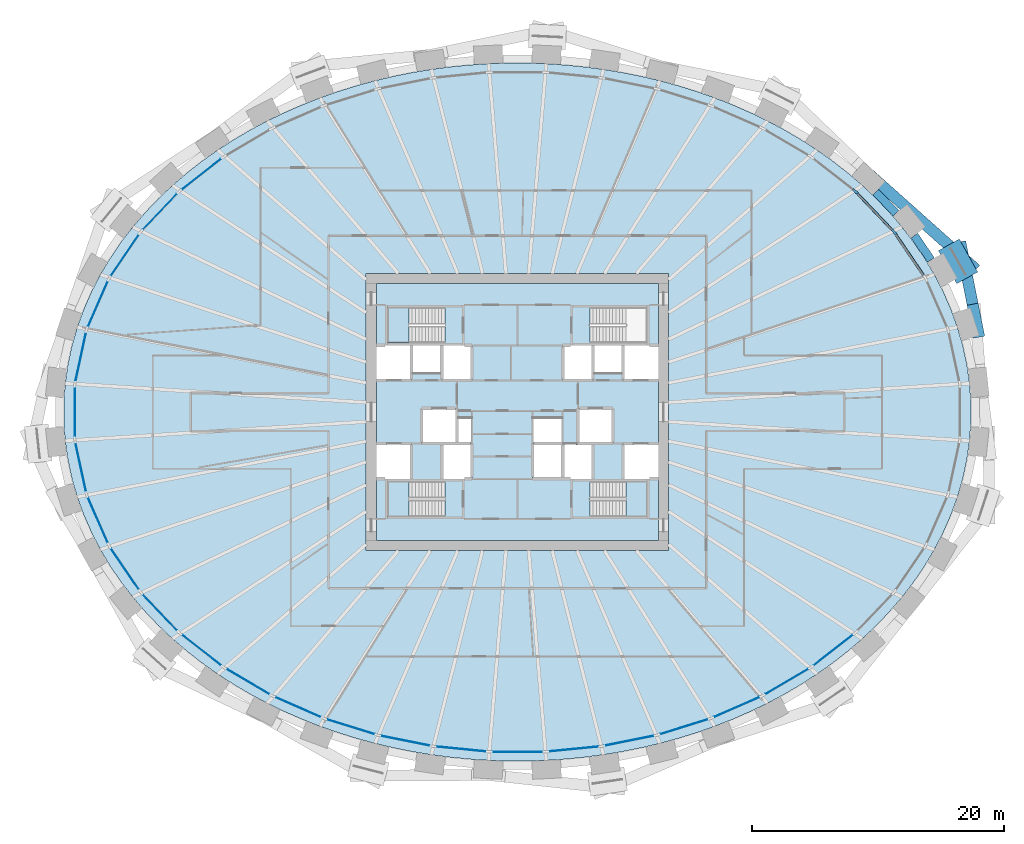
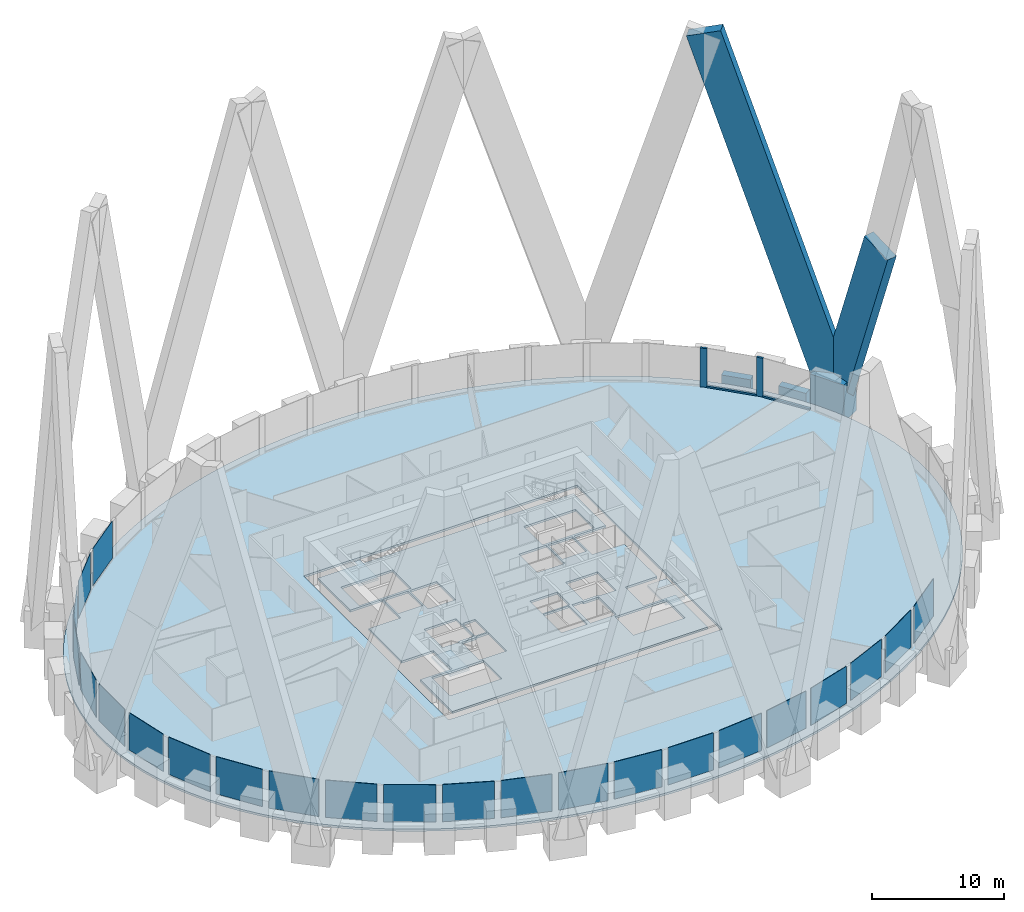
# One storey, part 5 of 12: 23 plates, 7 members, 5 slabs, 2 beams, 4 elements without a shape of their own.
"""IFC4 building model written with IfcOpenShell, lengths in metres."""

from ifc_helpers import new_model, si_unit, direction, frame, origin, origin_2d, place, context, subcontext, project, spatial, polyline, rectangle, outline, extrude, source, transform, mapped, material, layer, layer_set, material_profile, profile_set, type_object, element, aggregate, save


model = new_model("IFC4")

# Units and contexts
model_context = context("Model", 3, precision=1e-05, world=origin(), true_north=direction((0.0, 1.0)))
body_context = subcontext(model_context, "Body", "Model", "MODEL_VIEW")
ifc_project = project(units=[si_unit("LENGTHUNIT", "METRE"), si_unit("AREAUNIT", "SQUARE_METRE"), si_unit("VOLUMEUNIT", "CUBIC_METRE"), si_unit("PLANEANGLEUNIT", "RADIAN"), si_unit("MASSUNIT", "GRAM", prefix="KILO")], contexts=[model_context])

# Site, building, storey
site_placement = place(None, origin())
site = spatial("IfcSite", under=ifc_project, at=site_placement, CompositionType="ELEMENT")
building_placement = place(site_placement, origin())
building = spatial("IfcBuilding", under=site, at=building_placement, Name="Embergate Tower", CompositionType="ELEMENT")
storey_placement = place(building_placement, frame((0.0, 0.0, 191.10009765625)))
storey = spatial("IfcBuildingStorey", under=building, at=storey_placement, Name="L43", CompositionType="ELEMENT", Elevation=191.10009765625)

# Beams
ifc_material_1 = material(Name="Concrete C70", Category="concrete")
ifc_material_profile_1 = material_profile(ifc_material_1, rectangle(XDim=0.64990234375, YDim=1.5, at=origin_2d()), Name="RC 650x1500")
ifc_profile_set_1 = profile_set([ifc_material_profile_1], Name="Concrete C70")
beam_type = type_object("IfcBeamType", Name="Spandrel beam RC 650x1500 C70", PredefinedType="BEAM", material=ifc_profile_set_1)
shared_shape_1 = source(origin(), body_context, "Body", "SweptSolid", [
    extrude(rectangle(XDim=0.64990234375, YDim=1.5, at=origin_2d()), origin(), (0.0, 0.0, 1.0), 2.329345703125),
])
beam_1_placement = place(storey_placement, frame((32.8359375, 12.0830078125, 0.0), z_axis=(-0.562416089232, 0.826854366, 0.0), x_axis=(-0.826854366, -0.562416089232, 0.0)))
element("IfcBeam", 1, at=beam_1_placement, inside=storey, type_object=beam_type, Name="SPN-L43-02", PredefinedType="BEAM", context=body_context, shape_type="MappedRepresentation", body=[
    mapped(shared_shape_1, transform((0.0, 0.0, 0.0))),
])
shared_shape_2 = source(origin(), body_context, "Body", "SweptSolid", [
    extrude(rectangle(XDim=0.64990234375, YDim=1.5, at=origin_2d()), origin(), (0.0, 0.0, 1.0), 2.322265625),
])
beam_2_placement = place(storey_placement, frame((30.06591796875, 15.785888671875, 0.0), z_axis=(-0.690300694886, 0.723522598569, 0.0), x_axis=(-0.723522598569, -0.690300694886, 0.0)))
element("IfcBeam", 2, at=beam_2_placement, inside=storey, type_object=beam_type, Name="SPN-L43-03", PredefinedType="BEAM", context=body_context, shape_type="MappedRepresentation", body=[
    mapped(shared_shape_2, transform((0.0, 0.0, 0.0))),
])

# Members
ifc_material_profile_2 = material_profile(ifc_material_1, rectangle(XDim=1.89990234375, YDim=3.0, at=origin_2d()), Name="RC 1900x3000")
ifc_profile_set_2 = profile_set([ifc_material_profile_2], Name="Concrete C70")
member_type_1 = type_object("IfcMemberType", Name="Lattice node block RC 1900x3000", PredefinedType="POST", material=ifc_profile_set_2)
shared_shape_3 = source(origin(), body_context, "Body", "SweptSolid", [
    extrude(rectangle(XDim=1.89990234375, YDim=3.0, at=origin_2d()), origin(), (0.0, 0.0, 1.0), 3.449951171875),
])
member_1_placement = place(storey_placement, frame((34.990966796875, 11.967041015625, -1.72509765625), z_axis=(0.0, 0.0, 1.0), x_axis=(0.873500465855, 0.486823311018, 0.0)))
element("IfcMember", 3, at=member_1_placement, inside=storey, type_object=member_type_1, Name="NOD-L43-02", PredefinedType="POST", context=body_context, shape_type="MappedRepresentation", body=[
    mapped(shared_shape_3, transform((0.0, 0.0, 0.0))),
])
ifc_material_profile_3 = material_profile(ifc_material_1, rectangle(XDim=0.89990234375, YDim=2.800048828125, at=origin_2d()), Name="RC 900x2800")
ifc_profile_set_3 = profile_set([ifc_material_profile_3], Name="Concrete C70")
member_type_2 = type_object("IfcMemberType", Name="Lattice diagonal terracotta-faced RC 900x2800", PredefinedType="BRACE", material=ifc_profile_set_3)
shared_shape_4 = source(origin(), body_context, "Body", "SweptSolid", [
    extrude(rectangle(XDim=0.89990234375, YDim=2.800048828125, at=origin_2d()), origin(), (0.0, 0.0, 1.0), 16.68212890625),
])
member_2_placement = place(storey_placement, frame((35.422119140625, 12.20703125, 0.0), z_axis=(0.059212549828, -0.296779856147, 0.953108383621), x_axis=(0.980671707881, 0.195660423595, 0.0)))
element("IfcMember", 4, at=member_2_placement, inside=storey, type_object=member_type_2, Name="BRC-L43-02-00-S00", PredefinedType="BRACE", context=body_context, shape_type="MappedRepresentation", body=[
    mapped(shared_shape_4, transform((0.0, 0.0, 0.0))),
])
shared_shape_5 = source(origin(), body_context, "Body", "SweptSolid", [
    extrude(rectangle(XDim=0.89990234375, YDim=2.800048828125, at=origin_2d()), origin(), (0.0, 0.0, 1.0), 33.40380859375),
])
member_3_placement = place(storey_placement, frame((35.422119140625, 12.20703125, 0.0), z_axis=(-0.228479801284, 0.203776121673, 0.951983336325), x_axis=(-0.665609097165, -0.746300562623, 0.0)))
element("IfcMember", 5, at=member_3_placement, inside=storey, type_object=member_type_2, Name="BRC-L43-02-04-S00", PredefinedType="BRACE", context=body_context, shape_type="MappedRepresentation", body=[
    mapped(shared_shape_5, transform((0.0, 0.0, 0.0))),
])

# Curtain wall, members
ifc_material_2 = material(Name="Aluminium and glass", Category="aluminium")
curtain_wall_type = type_object("IfcCurtainWallType", Name="Recessed office glazing", PredefinedType="NOTDEFINED", material=ifc_material_2)
curtain_wall_placement = place(storey_placement, origin())
curtain_wall = element("IfcCurtainWall", 6, at=curtain_wall_placement, inside=storey, type_object=curtain_wall_type, Name="Recessed office glazing ring", ObjectType="RECESSED OFFICE GLAZING", PredefinedType="USERDEFINED")
ifc_material_3 = material(Name="Aluminium, thermally broken", Category="aluminium")
ifc_material_profile_4 = material_profile(ifc_material_3, rectangle(XDim=0.179931640625, YDim=0.52001953125, at=origin_2d()), Name="AL 520x180")
ifc_profile_set_4 = profile_set([ifc_material_profile_4], Name="Aluminium, thermally broken")
member_type_3 = type_object("IfcMemberType", Name="Office mullion", PredefinedType="MULLION", material=ifc_profile_set_4)
shared_shape_6 = source(origin(), body_context, "Body", "SweptSolid", [
    extrude(rectangle(XDim=0.179931640625, YDim=0.52001953125, at=origin_2d()), origin(), (0.0, 0.0, 1.0), 3.599853515625),
])
member_4_placement = place(storey_placement, frame((29.9189453125, 14.29248046875, 0.0), z_axis=(0.0, 0.0, 1.0), x_axis=(-0.777869273934, -0.628426123477, 0.0)))
member_4 = element("IfcMember", 7, at=member_4_placement, type_object=member_type_3, Name="CW mullion 4", PredefinedType="MULLION", context=body_context, shape_type="MappedRepresentation", body=[
    mapped(shared_shape_6, transform((0.0, 0.0, 0.0))),
])
member_5_placement = place(storey_placement, frame((26.843017578125, 17.51806640625, 0.0), z_axis=(0.0, 0.0, 1.0), x_axis=(-0.671222652759, -0.741255792843, 0.0)))
member_5 = element("IfcMember", 8, at=member_5_placement, type_object=member_type_3, Name="CW mullion 5", PredefinedType="MULLION", context=body_context, shape_type="MappedRepresentation", body=[
    mapped(shared_shape_6, transform((0.0, 0.0, 0.0))),
])
ifc_material_profile_5 = material_profile(ifc_material_3, rectangle(XDim=0.179931640625, YDim=0.14990234375, at=origin_2d()), Name="AL 150x180")
ifc_profile_set_5 = profile_set([ifc_material_profile_5], Name="Aluminium, thermally broken")
member_type_4 = type_object("IfcMemberType", Name="Office sill transom", PredefinedType="USERDEFINED", material=ifc_profile_set_5)
shared_shape_7 = source(origin(), body_context, "Body", "SweptSolid", [
    extrude(rectangle(XDim=0.179931640625, YDim=0.14990234375, at=origin_2d()), origin(), (0.0, 0.0, 1.0), 3.928466796875),
])
member_6_placement = place(storey_placement, frame((32.2744140625, 10.8291015625, 0.074951171875), z_axis=(-0.562349116306, 0.826899916187, 0.0), x_axis=(-0.826899916187, -0.562349116306, 0.0)))
member_6 = element("IfcMember", 9, at=member_6_placement, type_object=member_type_4, Name="CW transom 3.1", ObjectType="TRANSOM", PredefinedType="USERDEFINED", context=body_context, shape_type="MappedRepresentation", body=[
    mapped(shared_shape_7, transform((0.0, 0.0, 0.0))),
])
shared_shape_8 = source(origin(), body_context, "Body", "SweptSolid", [
    extrude(rectangle(XDim=0.179931640625, YDim=0.14990234375, at=origin_2d()), origin(), (0.0, 0.0, 1.0), 3.93701171875),
])
member_7_placement = place(storey_placement, frame((29.739501953125, 14.480712890625, 0.074951171875), z_axis=(-0.690133496305, 0.723682083016, 0.0), x_axis=(-0.723682083016, -0.690133496305, 0.0)))
member_7 = element("IfcMember", 10, at=member_7_placement, type_object=member_type_4, Name="CW transom 4.1", ObjectType="TRANSOM", PredefinedType="USERDEFINED", context=body_context, shape_type="MappedRepresentation", body=[
    mapped(shared_shape_8, transform((0.0, 0.0, 0.0))),
])

# Slab
ifc_material_4 = material(Name="Concrete C40", Category="concrete")
ifc_layer_1 = layer(ifc_material_4, 0.199951171875)
ifc_layer_set_1 = layer_set([ifc_layer_1], Name="Concrete C40")
slab_type_1 = type_object("IfcSlabType", Name="Composite floor slab C40 200", PredefinedType="FLOOR", material=ifc_layer_set_1)
shared_shape_9 = source(origin(), body_context, "Body", "SweptSolid", [
    extrude(outline(polyline([(0.0, 0.0), (1.52392578125, 0.0), (3.0458984375, 0.050048828125), (4.570068359375, 0.14892578125), (6.0859375, 0.298095703125), (7.593017578125, 0.4970703125), (9.10205078125, 0.7470703125), (10.596923828125, 1.0458984375), (12.072021484375, 1.39501953125), (13.552001953125, 1.799072265625), (15.005859375, 2.251953125), (16.43408203125, 2.7529296875), (17.864013671875, 3.31494140625), (19.260009765625, 3.926025390625), (20.619873046875, 4.583984375), (21.97802734375, 5.30908203125), (23.291015625, 6.0810546875), (24.556884765625, 6.89892578125), (25.81494140625, 7.791015625), (27.014892578125, 8.72802734375), (28.156982421875, 9.708984375), (29.278076171875, 10.77001953125), (30.328857421875, 11.8720703125), (31.307861328125, 13.012939453125), (32.2470703125, 14.237060546875), (33.10400390625, 15.49609375), (33.875, 16.7880859375), (34.58203125, 18.155029296875), (35.19384765625, 19.550048828125), (35.7080078125, 20.967041015625), (36.133056640625, 22.43896484375), (36.452880859375, 23.927978515625), (36.66796875, 25.427001953125), (36.77587890625, 26.947021484375), (36.77587890625, 28.468994140625), (36.66796875, 29.989013671875), (36.452880859375, 31.488037109375), (36.133056640625, 32.97705078125), (35.7080078125, 34.448974609375), (35.19384765625, 35.865966796875), (34.58203125, 37.260986328125), (33.875, 38.6279296875), (33.10400390625, 39.919921875), (32.2470703125, 41.178955078125), (31.307861328125, 42.403076171875), (30.328857421875, 43.5439453125), (29.278076171875, 44.64599609375), (28.156982421875, 45.70703125), (27.014892578125, 46.68798828125), (25.81494140625, 47.625), (24.556884765625, 48.51708984375), (23.291015625, 49.3349609375), (21.97802734375, 50.10693359375), (20.619873046875, 50.83203125), (19.260009765625, 51.489990234375), (17.864013671875, 52.10107421875), (16.43408203125, 52.6630859375), (15.005859375, 53.1640625), (13.552001953125, 53.616943359375), (12.072021484375, 54.02099609375), (10.596923828125, 54.3701171875), (9.10205078125, 54.6689453125), (7.593017578125, 54.9189453125), (6.0859375, 55.117919921875), (4.570068359375, 55.26708984375), (3.0458984375, 55.365966796875), (1.52392578125, 55.416015625), (0.0, 55.416015625), (-1.52197265625, 55.365966796875), (-3.046142578125, 55.26708984375), (-4.56201171875, 55.117919921875), (-6.069091796875, 54.9189453125), (-7.578125, 54.6689453125), (-9.072998046875, 54.3701171875), (-10.548095703125, 54.02099609375), (-12.028076171875, 53.616943359375), (-13.48193359375, 53.1640625), (-14.91015625, 52.6630859375), (-16.340087890625, 52.10107421875), (-17.736083984375, 51.489990234375), (-19.095947265625, 50.83203125), (-20.4541015625, 50.10693359375), (-21.76708984375, 49.3349609375), (-23.032958984375, 48.51708984375), (-24.291015625, 47.625), (-25.490966796875, 46.68798828125), (-26.633056640625, 45.70703125), (-27.754150390625, 44.64599609375), (-28.804931640625, 43.5439453125), (-29.783935546875, 42.403076171875), (-30.72314453125, 41.178955078125), (-31.580078125, 39.919921875), (-32.35107421875, 38.6279296875), (-33.05810546875, 37.260986328125), (-33.669921875, 35.865966796875), (-34.18408203125, 34.448974609375), (-34.609130859375, 32.97705078125), (-34.928955078125, 31.488037109375), (-35.14404296875, 29.989013671875), (-35.251953125, 28.468994140625), (-35.251953125, 26.947021484375), (-35.14404296875, 25.427001953125), (-34.928955078125, 23.927978515625), (-34.609130859375, 22.43896484375), (-34.18408203125, 20.967041015625), (-33.669921875, 19.550048828125), (-33.05810546875, 18.155029296875), (-32.35107421875, 16.7880859375), (-31.580078125, 15.49609375), (-30.72314453125, 14.237060546875), (-29.783935546875, 13.012939453125), (-28.804931640625, 11.8720703125), (-27.754150390625, 10.77001953125), (-26.633056640625, 9.708984375), (-25.490966796875, 8.72802734375), (-24.291015625, 7.791015625), (-23.032958984375, 6.89892578125), (-21.76708984375, 6.0810546875), (-20.4541015625, 5.30908203125), (-19.095947265625, 4.583984375), (-17.736083984375, 3.926025390625), (-16.340087890625, 3.31494140625), (-14.91015625, 2.7529296875), (-13.48193359375, 2.251953125), (-12.028076171875, 1.799072265625), (-10.548095703125, 1.39501953125), (-9.072998046875, 1.0458984375), (-7.578125, 0.7470703125), (-6.069091796875, 0.4970703125), (-4.56201171875, 0.298095703125), (-3.046142578125, 0.14892578125), (-1.52197265625, 0.050048828125), (0.0, 0.0)]), holes=[polyline([(-11.238037109375, 16.7080078125), (-11.238037109375, 38.7080078125), (12.761962890625, 38.7080078125), (12.761962890625, 16.7080078125), (-11.238037109375, 16.7080078125)])]), origin(), (0.0, 0.0, 1.0), 0.2001953125),
])
slab_1_placement = place(storey_placement, frame((-0.761962890625, -27.7080078125, -0.2001953125)))
element("IfcSlab", 11, at=slab_1_placement, inside=storey, type_object=slab_type_1, Name="SLB-L43-00", PredefinedType="FLOOR", context=body_context, shape_type="MappedRepresentation", body=[
    mapped(shared_shape_9, transform((0.0, 0.0, 0.0))),
])

# Plate
ifc_material_5 = material(Name="Triple glazing, low-emissivity coating", Category="glass")
ifc_layer_2 = layer(ifc_material_5, 0.035888671875)
ifc_layer_set_2 = layer_set([ifc_layer_2], Name="Triple glazing, low-emissivity coating")
plate_type = type_object("IfcPlateType", Name="Office glazing unit", PredefinedType="CURTAIN_PANEL", material=ifc_layer_set_2)
shared_shape_10 = source(origin(), body_context, "Body", "SweptSolid", [
    extrude(rectangle(XDim=3.91259765625, YDim=0.035888671875, at=origin_2d()), origin(), (0.0, 0.0, 1.0), 3.449951171875),
])
plate_1_placement = place(storey_placement, frame((-34.669921875, 4.381591796875, 0.14990234375), z_axis=(0.0, 0.0, 1.0), x_axis=(-0.210400097438, -0.977615363524, 0.0)))
plate_1 = element("IfcPlate", 12, at=plate_1_placement, type_object=plate_type, Name="CW panel 21.1", PredefinedType="CURTAIN_PANEL", context=body_context, shape_type="MappedRepresentation", body=[
    mapped(shared_shape_10, transform((0.0, 0.0, 0.0))),
])

plate_2_placement = place(storey_placement, frame((-34.669921875, -4.381591796875, 0.14990234375), z_axis=(0.0, 0.0, 1.0), x_axis=(0.210400097438, -0.977615363524, 0.0)))
plate_2 = element("IfcPlate", 13, at=plate_2_placement, type_object=plate_type, Name="CW panel 23.1", PredefinedType="CURTAIN_PANEL", context=body_context, shape_type="MappedRepresentation", body=[
    mapped(shared_shape_10, transform((0.0, 0.0, 0.0))),
])

shared_shape_11 = source(origin(), body_context, "Body", "SweptSolid", [
    extrude(rectangle(XDim=3.919677734375, YDim=0.035888671875, at=origin_2d()), origin(), (0.0, 0.0, 1.0), 3.449951171875),
])
plate_3_placement = place(storey_placement, frame((-33.31201171875, 8.581298828125, 0.14990234375), z_axis=(0.0, 0.0, 1.0), x_axis=(-0.401655297873, -0.915790926844, 0.0)))
plate_3 = element("IfcPlate", 14, at=plate_3_placement, type_object=plate_type, Name="CW panel 20.1", PredefinedType="CURTAIN_PANEL", context=body_context, shape_type="MappedRepresentation", body=[
    mapped(shared_shape_11, transform((0.0, 0.0, 0.0))),
])

plate_4_placement = place(storey_placement, frame((-33.31201171875, -8.581298828125, 0.14990234375), z_axis=(0.0, 0.0, 1.0), x_axis=(0.401655297873, -0.915790926844, 0.0)))
plate_4 = element("IfcPlate", 15, at=plate_4_placement, type_object=plate_type, Name="CW panel 24.1", PredefinedType="CURTAIN_PANEL", context=body_context, shape_type="MappedRepresentation", body=[
    mapped(shared_shape_11, transform((0.0, 0.0, 0.0))),
])

shared_shape_12 = source(origin(), body_context, "Body", "SweptSolid", [
    extrude(rectangle(XDim=3.928466796875, YDim=0.035888671875, at=origin_2d()), origin(), (0.0, 0.0, 1.0), 3.449951171875),
])
plate_5_placement = place(storey_placement, frame((-31.169677734375, 12.453369140625, 0.14990234375), z_axis=(0.0, 0.0, 1.0), x_axis=(-0.562344628355, -0.826902968286, 0.0)))
plate_5 = element("IfcPlate", 16, at=plate_5_placement, type_object=plate_type, Name="CW panel 19.1", PredefinedType="CURTAIN_PANEL", context=body_context, shape_type="MappedRepresentation", body=[
    mapped(shared_shape_12, transform((0.0, 0.0, 0.0))),
])

plate_6_placement = place(storey_placement, frame((-31.169677734375, -12.453369140625, 0.14990234375), z_axis=(0.0, 0.0, 1.0), x_axis=(0.562344628355, -0.826902968286, 0.0)))
plate_6 = element("IfcPlate", 17, at=plate_6_placement, type_object=plate_type, Name="CW panel 25.1", PredefinedType="CURTAIN_PANEL", context=body_context, shape_type="MappedRepresentation", body=[
    mapped(shared_shape_12, transform((0.0, 0.0, 0.0))),
])

shared_shape_13 = source(origin(), body_context, "Body", "SweptSolid", [
    extrude(rectangle(XDim=3.93701171875, YDim=0.035888671875, at=origin_2d()), origin(), (0.0, 0.0, 1.0), 3.449951171875),
])
plate_7_placement = place(storey_placement, frame((-28.381103515625, 15.9052734375, 0.14990234375), z_axis=(0.0, 0.0, 1.0), x_axis=(-0.690137573644, -0.723678194673, 0.0)))
plate_7 = element("IfcPlate", 18, at=plate_7_placement, type_object=plate_type, Name="CW panel 18.1", PredefinedType="CURTAIN_PANEL", context=body_context, shape_type="MappedRepresentation", body=[
    mapped(shared_shape_13, transform((0.0, 0.0, 0.0))),
])

plate_8_placement = place(storey_placement, frame((-28.381103515625, -15.9052734375, 0.14990234375), z_axis=(0.0, 0.0, 1.0), x_axis=(0.690137573644, -0.723678194673, 0.0)))
plate_8 = element("IfcPlate", 19, at=plate_8_placement, type_object=plate_type, Name="CW panel 26.1", PredefinedType="CURTAIN_PANEL", context=body_context, shape_type="MappedRepresentation", body=[
    mapped(shared_shape_13, transform((0.0, 0.0, 0.0))),
])

shared_shape_14 = source(origin(), body_context, "Body", "SweptSolid", [
    extrude(rectangle(XDim=3.9443359375, YDim=0.035888671875, at=origin_2d()), origin(), (0.0, 0.0, 1.0), 3.449951171875),
])
plate_9_placement = place(storey_placement, frame((-25.083251953125, 18.891357421875, 0.14990234375), z_axis=(0.0, 0.0, 1.0), x_axis=(-0.788322266931, -0.615262548398, 0.0)))
plate_9 = element("IfcPlate", 20, at=plate_9_placement, type_object=plate_type, Name="CW panel 17.1", PredefinedType="CURTAIN_PANEL", context=body_context, shape_type="MappedRepresentation", body=[
    mapped(shared_shape_14, transform((0.0, 0.0, 0.0))),
])

plate_10_placement = place(storey_placement, frame((-25.083251953125, -18.891357421875, 0.14990234375), z_axis=(0.0, 0.0, 1.0), x_axis=(0.788322266931, -0.615262548398, 0.0)))
plate_10 = element("IfcPlate", 21, at=plate_10_placement, type_object=plate_type, Name="CW panel 27.1", PredefinedType="CURTAIN_PANEL", context=body_context, shape_type="MappedRepresentation", body=[
    mapped(shared_shape_14, transform((0.0, 0.0, 0.0))),
])

plate_11_placement = place(storey_placement, frame((25.083251953125, -18.891357421875, 0.14990234375), z_axis=(0.0, 0.0, 1.0), x_axis=(0.788322266931, 0.615262548398, 0.0)))
plate_11 = element("IfcPlate", 22, at=plate_11_placement, type_object=plate_type, Name="CW panel 39.1", PredefinedType="CURTAIN_PANEL", context=body_context, shape_type="MappedRepresentation", body=[
    mapped(shared_shape_14, transform((0.0, 0.0, 0.0))),
])

shared_shape_15 = source(origin(), body_context, "Body", "SweptSolid", [
    extrude(rectangle(XDim=3.950439453125, YDim=0.035888671875, at=origin_2d()), origin(), (0.0, 0.0, 1.0), 3.449951171875),
])
plate_12_placement = place(storey_placement, frame((-21.396728515625, -21.397705078125, 0.14990234375), z_axis=(0.0, 0.0, 1.0), x_axis=(0.862054052374, -0.506816348183, 0.0)))
plate_12 = element("IfcPlate", 23, at=plate_12_placement, type_object=plate_type, Name="CW panel 28.1", PredefinedType="CURTAIN_PANEL", context=body_context, shape_type="MappedRepresentation", body=[
    mapped(shared_shape_15, transform((0.0, 0.0, 0.0))),
])

plate_13_placement = place(storey_placement, frame((21.396728515625, -21.397705078125, 0.14990234375), z_axis=(0.0, 0.0, 1.0), x_axis=(0.862054052374, 0.506816348183, 0.0)))
plate_13 = element("IfcPlate", 24, at=plate_13_placement, type_object=plate_type, Name="CW panel 38.1", PredefinedType="CURTAIN_PANEL", context=body_context, shape_type="MappedRepresentation", body=[
    mapped(shared_shape_15, transform((0.0, 0.0, 0.0))),
])

shared_shape_16 = source(origin(), body_context, "Body", "SweptSolid", [
    extrude(rectangle(XDim=3.954833984375, YDim=0.035888671875, at=origin_2d()), origin(), (0.0, 0.0, 1.0), 3.449951171875),
])
plate_14_placement = place(storey_placement, frame((-17.419921875, -23.427001953125, 0.14990234375), z_axis=(0.0, 0.0, 1.0), x_axis=(0.916236910986, -0.400636896638, 0.0)))
plate_14 = element("IfcPlate", 25, at=plate_14_placement, type_object=plate_type, Name="CW panel 29.1", PredefinedType="CURTAIN_PANEL", context=body_context, shape_type="MappedRepresentation", body=[
    mapped(shared_shape_16, transform((0.0, 0.0, 0.0))),
])

plate_15_placement = place(storey_placement, frame((17.419921875, -23.427001953125, 0.14990234375), z_axis=(0.0, 0.0, 1.0), x_axis=(0.916236910986, 0.400636896638, 0.0)))
plate_15 = element("IfcPlate", 26, at=plate_15_placement, type_object=plate_type, Name="CW panel 37.1", PredefinedType="CURTAIN_PANEL", context=body_context, shape_type="MappedRepresentation", body=[
    mapped(shared_shape_16, transform((0.0, 0.0, 0.0))),
])

shared_shape_17 = source(origin(), body_context, "Body", "SweptSolid", [
    extrude(rectangle(XDim=3.958251953125, YDim=0.035888671875, at=origin_2d()), origin(), (0.0, 0.0, 1.0), 3.449951171875),
])
plate_16_placement = place(storey_placement, frame((-13.23193359375, -24.989013671875, 0.14990234375), z_axis=(0.0, 0.0, 1.0), x_axis=(0.954772736126, -0.297336547283, 0.0)))
plate_16 = element("IfcPlate", 27, at=plate_16_placement, type_object=plate_type, Name="CW panel 30.1", PredefinedType="CURTAIN_PANEL", context=body_context, shape_type="MappedRepresentation", body=[
    mapped(shared_shape_17, transform((0.0, 0.0, 0.0))),
])

plate_17_placement = place(storey_placement, frame((13.23193359375, -24.989013671875, 0.14990234375), z_axis=(0.0, 0.0, 1.0), x_axis=(0.954772736126, 0.297336547283, 0.0)))
plate_17 = element("IfcPlate", 28, at=plate_17_placement, type_object=plate_type, Name="CW panel 36.1", PredefinedType="CURTAIN_PANEL", context=body_context, shape_type="MappedRepresentation", body=[
    mapped(shared_shape_17, transform((0.0, 0.0, 0.0))),
])

shared_shape_18 = source(origin(), body_context, "Body", "SweptSolid", [
    extrude(rectangle(XDim=3.96044921875, YDim=0.035888671875, at=origin_2d()), origin(), (0.0, 0.0, 1.0), 3.449951171875),
])
plate_18_placement = place(storey_placement, frame((-8.897705078125, -26.09521484375, 0.14990234375), z_axis=(0.0, 0.0, 1.0), x_axis=(0.980475907409, -0.196639250889, 0.0)))
plate_18 = element("IfcPlate", 29, at=plate_18_placement, type_object=plate_type, Name="CW panel 31.1", PredefinedType="CURTAIN_PANEL", context=body_context, shape_type="MappedRepresentation", body=[
    mapped(shared_shape_18, transform((0.0, 0.0, 0.0))),
])

plate_19_placement = place(storey_placement, frame((8.897705078125, -26.09521484375, 0.14990234375), z_axis=(0.0, 0.0, 1.0), x_axis=(0.980475907409, 0.196639250889, 0.0)))
plate_19 = element("IfcPlate", 30, at=plate_19_placement, type_object=plate_type, Name="CW panel 35.1", PredefinedType="CURTAIN_PANEL", context=body_context, shape_type="MappedRepresentation", body=[
    mapped(shared_shape_18, transform((0.0, 0.0, 0.0))),
])

shared_shape_19 = source(origin(), body_context, "Body", "SweptSolid", [
    extrude(rectangle(XDim=3.961669921875, YDim=0.035888671875, at=origin_2d()), origin(), (0.0, 0.0, 1.0), 3.449951171875),
])
plate_20_placement = place(storey_placement, frame((-4.47119140625, -26.755126953125, 0.14990234375), z_axis=(0.0, 0.0, 1.0), x_axis=(0.995203184788, -0.097829550688, 0.0)))
plate_20 = element("IfcPlate", 31, at=plate_20_placement, type_object=plate_type, Name="CW panel 32.1", PredefinedType="CURTAIN_PANEL", context=body_context, shape_type="MappedRepresentation", body=[
    mapped(shared_shape_19, transform((0.0, 0.0, 0.0))),
])

plate_21_placement = place(storey_placement, frame((4.47119140625, -26.755126953125, 0.14990234375), z_axis=(0.0, 0.0, 1.0), x_axis=(0.995203184788, 0.097829550688, 0.0)))
plate_21 = element("IfcPlate", 32, at=plate_21_placement, type_object=plate_type, Name="CW panel 34.1", PredefinedType="CURTAIN_PANEL", context=body_context, shape_type="MappedRepresentation", body=[
    mapped(shared_shape_19, transform((0.0, 0.0, 0.0))),
])

shared_shape_20 = source(origin(), body_context, "Body", "SweptSolid", [
    extrude(rectangle(XDim=3.962158203125, YDim=0.035888671875, at=origin_2d()), origin(), (0.0, 0.0, 1.0), 3.449951171875),
])
plate_22_placement = place(storey_placement, frame((0.0, -26.974365234375, 0.14990234375), z_axis=(0.0, 0.0, 1.0), x_axis=(1.0, 0.0, 0.0)))
plate_22 = element("IfcPlate", 33, at=plate_22_placement, type_object=plate_type, Name="CW panel 33.1", PredefinedType="CURTAIN_PANEL", context=body_context, shape_type="MappedRepresentation", body=[
    mapped(shared_shape_20, transform((0.0, 0.0, 0.0))),
])

shared_shape_21 = source(origin(), body_context, "Body", "SweptSolid", [
    extrude(rectangle(XDim=3.909912109375, YDim=0.035888671875, at=origin_2d()), origin(), (0.0, 0.0, 1.0), 3.449951171875),
])
plate_23_placement = place(storey_placement, frame((-35.13623046875, 0.0, 0.14990234375), z_axis=(0.0, 0.0, 1.0), x_axis=(0.0, -1.0, 0.0)))
plate_23 = element("IfcPlate", 34, at=plate_23_placement, type_object=plate_type, Name="CW panel 22.1", PredefinedType="CURTAIN_PANEL", context=body_context, shape_type="MappedRepresentation", body=[
    mapped(shared_shape_21, transform((0.0, 0.0, 0.0))),
])

aggregate(curtain_wall, [member_4, member_5, member_6, member_7, plate_9, plate_7, plate_5, plate_3, plate_1, plate_23, plate_2, plate_4, plate_6, plate_8, plate_10, plate_12, plate_14, plate_16, plate_18, plate_20, plate_22, plate_21, plate_19, plate_17, plate_15, plate_13, plate_11])

# Stair, slab
ifc_material_6 = material(Name="Exit stair")
stair_type = type_object("IfcStairType", Name="Exit stair", PredefinedType="HALF_TURN_STAIR", material=ifc_material_6)
stair_1_placement = place(storey_placement, origin())
stair_1 = element("IfcStair", 35, at=stair_1_placement, inside=storey, type_object=stair_type, Name="L43 Exit stair 1", PredefinedType="HALF_TURN_STAIR")
ifc_layer_3 = layer(ifc_material_4, 0.199951171875)
ifc_layer_set_3 = layer_set([ifc_layer_3], Name="Concrete C40")
slab_type_2 = type_object("IfcSlabType", Name="Stair landing reinforced concrete", PredefinedType="LANDING", material=ifc_layer_set_3)
shared_shape_22 = source(origin(), body_context, "Body", "SweptSolid", [
    extrude(outline(polyline([(0.0, 0.0), (1.68994140625, 0.0), (1.68994140625, 2.800048828125), (0.0, 2.800048828125), (0.0, 0.0)])), origin(), (0.0, 0.0, 1.0), 0.199951171875),
])
slab_2_placement = place(storey_placement, frame((-10.300048828125, 5.5, 1.75)))
slab_2 = element("IfcSlab", 36, at=slab_2_placement, type_object=slab_type_2, Name="ST1 landing 1", PredefinedType="LANDING", context=body_context, shape_type="MappedRepresentation", body=[
    mapped(shared_shape_22, transform((0.0, 0.0, 0.0))),
])
aggregate(stair_1, [slab_2])

stair_2_placement = place(storey_placement, origin())
stair_2 = element("IfcStair", 37, at=stair_2_placement, inside=storey, type_object=stair_type, Name="L43 Exit stair 3", PredefinedType="HALF_TURN_STAIR")
slab_3_placement = place(storey_placement, frame((-10.300048828125, -8.300048828125, 1.75)))
slab_3 = element("IfcSlab", 38, at=slab_3_placement, type_object=slab_type_2, Name="ST3 landing 1", PredefinedType="LANDING", context=body_context, shape_type="MappedRepresentation", body=[
    mapped(shared_shape_22, transform((0.0, 0.0, 0.0))),
])
aggregate(stair_2, [slab_3])

stair_3_placement = place(storey_placement, origin())
stair_3 = element("IfcStair", 39, at=stair_3_placement, inside=storey, type_object=stair_type, Name="L43 Exit stair 4", PredefinedType="HALF_TURN_STAIR")
slab_4_placement = place(storey_placement, frame((8.610107421875, -8.300048828125, 1.75)))
slab_4 = element("IfcSlab", 40, at=slab_4_placement, type_object=slab_type_2, Name="ST4 landing 1", PredefinedType="LANDING", context=body_context, shape_type="MappedRepresentation", body=[
    mapped(shared_shape_22, transform((0.0, 0.0, 0.0))),
])
aggregate(stair_3, [slab_4])

# Slab
ifc_layer_4 = layer(ifc_material_4, 0.199951171875)
ifc_layer_set_4 = layer_set([ifc_layer_4], Name="Concrete C40")
slab_type_3 = type_object("IfcSlabType", Name="Core floor slab 200 reinforced concrete", PredefinedType="FLOOR", material=ifc_layer_set_4)
shared_shape_23 = source(origin(), body_context, "Body", "SweptSolid", [
    extrude(outline(polyline([(0.0, 0.0), (22.39990234375, 0.0), (22.39990234375, 4.89990234375), (19.599853515625, 4.89990234375), (19.599853515625, 7.699951171875), (22.39990234375, 7.699951171875), (22.39990234375, 12.699951171875), (19.599853515625, 12.699951171875), (19.599853515625, 15.5), (22.39990234375, 15.5), (22.39990234375, 20.39990234375), (0.0, 20.39990234375), (0.0, 15.5), (2.800048828125, 15.5), (2.800048828125, 12.699951171875), (0.0, 12.699951171875), (0.0, 7.699951171875), (2.800048828125, 7.699951171875), (2.800048828125, 4.89990234375), (0.0, 4.89990234375), (0.0, 0.0)]), holes=[polyline([(0.89990234375, 1.89990234375), (0.89990234375, 4.699951171875), (5.43994140625, 4.699951171875), (5.43994140625, 1.89990234375), (0.89990234375, 1.89990234375)]), polyline([(16.9599609375, 1.89990234375), (16.9599609375, 4.699951171875), (21.5, 4.699951171875), (21.5, 1.89990234375), (16.9599609375, 1.89990234375)]), polyline([(5.199951171875, 4.89990234375), (5.199951171875, 7.574951171875), (6.52490234375, 7.574951171875), (6.52490234375, 7.699951171875), (7.599853515625, 7.699951171875), (7.599853515625, 4.89990234375), (5.199951171875, 4.89990234375)]), polyline([(12.39990234375, 4.89990234375), (12.39990234375, 7.699951171875), (14.675048828125, 7.699951171875), (14.675048828125, 4.89990234375), (12.39990234375, 4.89990234375)]), polyline([(14.925048828125, 4.89990234375), (14.925048828125, 7.699951171875), (15.875, 7.699951171875), (15.875, 7.574951171875), (17.199951171875, 7.574951171875), (17.199951171875, 4.89990234375), (14.925048828125, 4.89990234375)]), polyline([(3.599853515625, 7.699951171875), (3.599853515625, 10.5), (6.39990234375, 10.5), (6.39990234375, 7.824951171875), (5.074951171875, 7.824951171875), (5.074951171875, 7.699951171875), (3.599853515625, 7.699951171875)]), polyline([(17.324951171875, 7.699951171875), (17.324951171875, 7.824951171875), (16.0, 7.824951171875), (16.0, 10.5), (18.800048828125, 10.5), (18.800048828125, 7.699951171875), (17.324951171875, 7.699951171875)]), polyline([(6.52490234375, 7.824951171875), (6.52490234375, 9.699951171875), (7.599853515625, 9.699951171875), (7.599853515625, 7.824951171875), (6.52490234375, 7.824951171875)]), polyline([(12.39990234375, 7.824951171875), (12.39990234375, 9.699951171875), (14.800048828125, 9.699951171875), (14.800048828125, 7.824951171875), (14.675048828125, 7.824951171875), (12.39990234375, 7.824951171875)]), polyline([(5.199951171875, 12.699951171875), (5.199951171875, 15.5), (7.599853515625, 15.5), (7.599853515625, 12.699951171875), (5.199951171875, 12.699951171875)]), polyline([(14.800048828125, 12.699951171875), (14.800048828125, 15.5), (17.199951171875, 15.5), (17.199951171875, 12.699951171875), (14.800048828125, 12.699951171875)]), polyline([(2.925048828125, 13.300048828125), (2.925048828125, 15.5), (5.074951171875, 15.5), (5.074951171875, 13.300048828125), (2.925048828125, 13.300048828125)]), polyline([(17.324951171875, 13.300048828125), (17.324951171875, 15.5), (19.474853515625, 15.5), (19.474853515625, 13.300048828125), (17.324951171875, 13.300048828125)]), polyline([(0.89990234375, 15.699951171875), (0.89990234375, 18.5), (5.43994140625, 18.5), (5.43994140625, 15.699951171875), (0.89990234375, 15.699951171875)]), polyline([(16.9599609375, 15.699951171875), (16.9599609375, 18.5), (21.5, 18.5), (21.5, 15.699951171875), (16.9599609375, 15.699951171875)])]), origin(), (0.0, 0.0, 1.0), 0.2001953125),
])
slab_5_placement = place(storey_placement, frame((-11.199951171875, -10.199951171875, -0.2001953125)))
element("IfcSlab", 41, at=slab_5_placement, inside=storey, type_object=slab_type_3, Name="Core floor slab", PredefinedType="FLOOR", context=body_context, shape_type="MappedRepresentation", body=[
    mapped(shared_shape_23, transform((0.0, 0.0, 0.0))),
])

save(model, "model.ifc")
